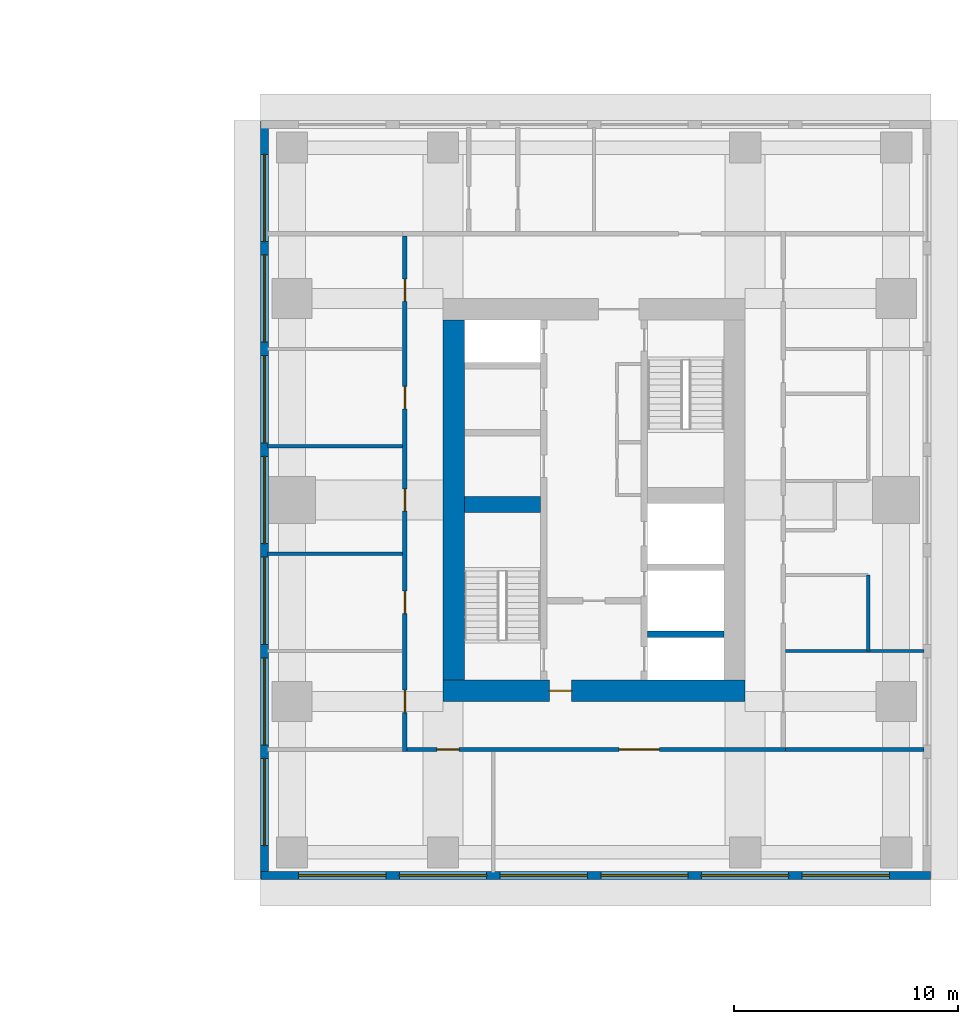
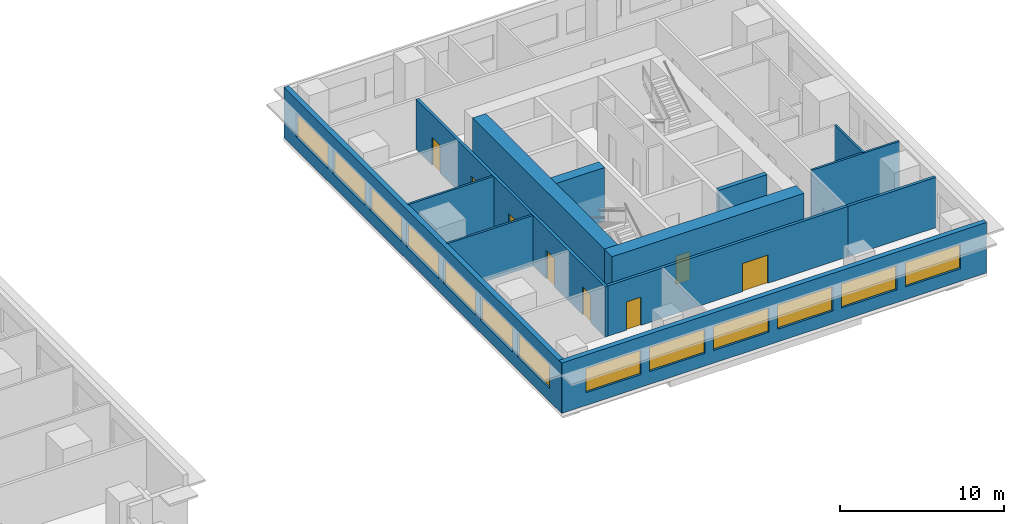
# One storey, part 6 of 11: 13 walls, 13 windows, 8 doors, 21 openings.
"""IFC4 building model written with IfcOpenShell, lengths in metres."""

from ifc_helpers import new_model, si_unit, direction, frame, frame_2d, origin, place, context, subcontext, project, spatial, rectangle, extrude, material, layer, layer_set, type_object, element, fill, save


model = new_model("IFC4")

# Units and contexts
model_context = context("Model", 3, precision=1e-05, world=origin(), true_north=direction((0.0, 1.0)))
body_context = subcontext(model_context, "Body", "Model", "MODEL_VIEW")
ifc_project = project(units=[si_unit("LENGTHUNIT", "METRE"), si_unit("AREAUNIT", "SQUARE_METRE"), si_unit("VOLUMEUNIT", "CUBIC_METRE"), si_unit("PLANEANGLEUNIT", "RADIAN"), si_unit("MASSUNIT", "GRAM", prefix="KILO")], contexts=[model_context])

# Site, building, storey
site_placement = place(None, origin())
site = spatial("IfcSite", under=ifc_project, at=site_placement, CompositionType="ELEMENT")
building_placement = place(site_placement, origin())
building = spatial("IfcBuilding", under=site, at=building_placement, Name="Namib Vertical Campus", CompositionType="ELEMENT")
storey_placement = place(building_placement, frame((0.0, 0.0, 181.0)))
storey = spatial("IfcBuildingStorey", under=building, at=storey_placement, Name="L42", CompositionType="ELEMENT", Elevation=181.0)

# Walls
ifc_material_1 = material(Name="Concrete C60/75", Category="concrete")
ifc_layer_1 = layer(ifc_material_1, 0.300048828125)
ifc_layer_set_1 = layer_set([ifc_layer_1], Name="Concrete C60/75")
wall_type_1 = type_object("IfcWallType", Name="Core inner wall 300", PredefinedType="SHEAR", material=ifc_layer_set_1)
wall_1_placement = place(storey_placement, frame((83.39990234375, 14.25, 0.0), z_axis=(0.0, 0.0, 1.0), x_axis=(1.0, 0.0, 0.0)))
element("IfcWall", 1, at=wall_1_placement, inside=storey, type_object=wall_type_1, Name="Core inner wall B L42 W5", PredefinedType="SHEAR", context=body_context, shape_type="SweptSolid", body=[
    extrude(rectangle(XDim=3.400146484375, YDim=0.300048828125, at=frame_2d((1.7001953125, 0.0))), origin(), (0.0, 0.0, 1.0), 4.0),
])
ifc_material_2 = material(Name="Concrete C60/75", Category="concrete")
ifc_layer_2 = layer(ifc_material_2, 0.699951171875)
ifc_layer_set_2 = layer_set([ifc_layer_2], Name="Concrete C60/75")
wall_type_2 = type_object("IfcWallType", Name="Core shear wall 700", PredefinedType="SHEAR", material=ifc_layer_set_2)
wall_2_placement = place(storey_placement, frame((75.199951171875, 20.050048828125, 0.0), z_axis=(0.0, 0.0, 1.0), x_axis=(1.0, 0.0, 0.0)))
element("IfcWall", 2, at=wall_2_placement, inside=storey, type_object=wall_type_2, Name="Core shear wall B L42 W3", PredefinedType="SHEAR", context=body_context, shape_type="SweptSolid", body=[
    extrude(rectangle(XDim=3.400146484375, YDim=0.699951171875, at=frame_2d((1.7001953125, 0.0))), origin(), (0.0, 0.0, 1.0), 4.0),
])

# Wall, opening, door
ifc_material_3 = material(Name="Concrete C60/75", Category="concrete")
ifc_layer_3 = layer(ifc_material_3, 0.949951171875)
ifc_layer_set_3 = layer_set([ifc_layer_3], Name="Concrete C60/75")
wall_type_3 = type_object("IfcWallType", Name="Core wall 950", PredefinedType="SHEAR", material=ifc_layer_set_3)
wall_3_placement = place(storey_placement, frame((74.25, 11.72509765625, 0.0), z_axis=(0.0, 0.0, 1.0), x_axis=(1.0, 0.0, 0.0)))
wall_3 = element("IfcWall", 3, at=wall_3_placement, inside=storey, type_object=wall_type_3, Name="Core wall B L42 1", PredefinedType="SHEAR", context=body_context, shape_type="SweptSolid", body=[
    extrude(rectangle(XDim=13.5, YDim=0.949951171875, at=frame_2d((6.75, 0.0))), origin(), (0.0, 0.0, 1.0), 4.0),
])
opening_1_placement = place(wall_3_placement, frame((4.75, 0.0, 0.0)))
opening_1 = element("IfcOpeningElement", 4, at=opening_1_placement, cuts=wall_3, Name="Opening FD5", PredefinedType="OPENING", context=body_context, shape_type="SweptSolid", body=[
    extrude(rectangle(XDim=1.0, YDim=2.10009765625, at=frame_2d((0.5, 1.050048828125))), frame((0.0, 0.48486328125, 0.0), z_axis=(0.0, -1.0, 0.0), x_axis=(1.0, 0.0, 0.0)), (0.0, 0.0, 1.0), 0.969970703125),
])
ifc_material_4 = material(Name="Steel fire door", Category="steel")
door_type_1 = type_object("IfcDoorType", Name="Fire door 1000x2100 120 min", OperationType="SINGLE_SWING_RIGHT", PredefinedType="DOOR", material=ifc_material_4)
door_1_placement = place(opening_1_placement, origin())
door_1 = element("IfcDoor", 5, at=door_1_placement, inside=storey, type_object=door_type_1, Name="Firefighting lobby door FD5 B L42", OperationType="SINGLE_SWING_LEFT", OverallHeight=2.10009765625, OverallWidth=1.0, PredefinedType="DOOR", context=body_context, shape_type="SweptSolid", body=[
    extrude(rectangle(XDim=1.0, YDim=2.10009765625, at=frame_2d((0.5, 1.050048828125))), frame((0.0, 0.02490234375, 0.0), z_axis=(0.0, -1.0, 0.0), x_axis=(1.0, 0.0, 0.0)), (0.0, 0.0, 1.0), 0.050048828125),
])
fill(opening_1, door_1)

# Wall
wall_4_placement = place(storey_placement, frame((74.72509765625, 28.300048828125, 0.0), z_axis=(0.0, 0.0, 1.0), x_axis=(0.0, -1.0, 0.0)))
element("IfcWall", 6, at=wall_4_placement, inside=storey, type_object=wall_type_3, Name="Core wall B L42 4", PredefinedType="SHEAR", context=body_context, shape_type="SweptSolid", body=[
    extrude(rectangle(XDim=16.10009765625, YDim=0.949951171875, at=frame_2d((8.050048828125, 0.0))), origin(), (0.0, 0.0, 1.0), 4.0),
])

# Wall, openings, doors
ifc_material_5 = material(Name="Concrete masonry", Category="masonry")
ifc_layer_4 = layer(ifc_material_5, 0.199951171875)
ifc_layer_set_4 = layer_set([ifc_layer_4], Name="Corridor wall 200")
wall_type_4 = type_object("IfcWallType", Name="Corridor wall 200", PredefinedType="SOLIDWALL", material=ifc_layer_set_4)
wall_5_placement = place(storey_placement, frame((72.64990234375, 9.10009765625, 0.0), z_axis=(0.0, 0.0, 1.0), x_axis=(1.0, 0.0, 0.0)))
wall_5 = element("IfcWall", 7, at=wall_5_placement, inside=storey, type_object=wall_type_4, Name="Corridor wall B L42 CS", PredefinedType="SOLIDWALL", context=body_context, shape_type="SweptSolid", body=[
    extrude(rectangle(XDim=16.900146484375, YDim=0.199951171875, at=frame_2d((8.4501953125, 0.0))), origin(), (0.0, 0.0, 1.0), 3.75),
])
opening_2_placement = place(wall_5_placement, frame((1.324951171875, 0.0, 0.0)))
opening_2 = element("IfcOpeningElement", 8, at=opening_2_placement, cuts=wall_5, Name="Opening CD1", PredefinedType="OPENING", context=body_context, shape_type="SweptSolid", body=[
    extrude(rectangle(XDim=1.0, YDim=2.10009765625, at=frame_2d((0.5, 1.050048828125))), frame((0.0, 0.10986328125, 0.0), z_axis=(0.0, -1.0, 0.0), x_axis=(1.0, 0.0, 0.0)), (0.0, 0.0, 1.0), 0.219970703125),
])
opening_3_placement = place(wall_5_placement, frame((9.47509765625, 0.0, 0.0)))
opening_3 = element("IfcOpeningElement", 9, at=opening_3_placement, cuts=wall_5, Name="Opening CD2", PredefinedType="OPENING", context=body_context, shape_type="SweptSolid", body=[
    extrude(rectangle(XDim=1.800048828125, YDim=2.10009765625, at=frame_2d((0.89990234375, 1.050048828125))), frame((0.0, 0.10986328125, 0.0), z_axis=(0.0, -1.0, 0.0), x_axis=(1.0, 0.0, 0.0)), (0.0, 0.0, 1.0), 0.219970703125),
])
ifc_material_6 = material(Name="Timber fire door leaf", Category="wood")
door_type_2 = type_object("IfcDoorType", Name="Corridor door 1000x2100 20 min", OperationType="SINGLE_SWING_LEFT", PredefinedType="DOOR", material=ifc_material_6)
door_2_placement = place(opening_2_placement, frame((1.0, 0.0, 0.0), z_axis=(0.0, 0.0, 1.0), x_axis=(-1.0, 0.0, 0.0)))
door_2 = element("IfcDoor", 10, at=door_2_placement, inside=storey, type_object=door_type_2, Name="Door CD1 B42-01", OperationType="SINGLE_SWING_LEFT", OverallHeight=2.10009765625, OverallWidth=1.0, PredefinedType="DOOR", context=body_context, shape_type="SweptSolid", body=[
    extrude(rectangle(XDim=1.0, YDim=2.10009765625, at=frame_2d((0.5, 1.050048828125))), frame((0.0, 0.02490234375, 0.0), z_axis=(0.0, -1.0, 0.0), x_axis=(1.0, 0.0, 0.0)), (0.0, 0.0, 1.0), 0.050048828125),
])
fill(opening_2, door_2)
ifc_material_7 = material(Name="Timber fire door leaf", Category="wood")
door_type_3 = type_object("IfcDoorType", Name="Corridor door double 1800x2100 20 min", OperationType="DOUBLE_DOOR_SINGLE_SWING", PredefinedType="DOOR", material=ifc_material_7)
door_3_placement = place(opening_3_placement, frame((1.800048828125, 0.0, 0.0), z_axis=(0.0, 0.0, 1.0), x_axis=(-1.0, 0.0, 0.0)))
door_3 = element("IfcDoor", 11, at=door_3_placement, inside=storey, type_object=door_type_3, Name="Door CD2 B42-02", OperationType="DOUBLE_DOOR_SINGLE_SWING", OverallHeight=2.10009765625, OverallWidth=1.800048828125, PredefinedType="DOOR", context=body_context, shape_type="SweptSolid", body=[
    extrude(rectangle(XDim=1.800048828125, YDim=2.10009765625, at=frame_2d((0.89990234375, 1.050048828125))), frame((0.0, 0.02490234375, 0.0), z_axis=(0.0, -1.0, 0.0), x_axis=(1.0, 0.0, 0.0)), (0.0, 0.0, 1.0), 0.050048828125),
])
fill(opening_3, door_3)

wall_6_placement = place(storey_placement, frame((72.550048828125, 32.050048828125, 0.0), z_axis=(0.0, 0.0, 1.0), x_axis=(0.0, -1.0, 0.0)))
wall_6 = element("IfcWall", 12, at=wall_6_placement, inside=storey, type_object=wall_type_4, Name="Corridor wall B L42 CW", PredefinedType="SOLIDWALL", context=body_context, shape_type="SweptSolid", body=[
    extrude(rectangle(XDim=23.050048828125, YDim=0.199951171875, at=frame_2d((11.52490234375, 0.0))), origin(), (0.0, 0.0, 1.0), 3.75),
])
opening_4_placement = place(wall_6_placement, frame((20.300048828125, 0.0, 0.0)))
opening_4 = element("IfcOpeningElement", 13, at=opening_4_placement, cuts=wall_6, Name="Opening CD1", PredefinedType="OPENING", context=body_context, shape_type="SweptSolid", body=[
    extrude(rectangle(XDim=1.0, YDim=2.10009765625, at=frame_2d((0.5, 1.050048828125))), frame((0.0, 0.10986328125, 0.0), z_axis=(0.0, -1.0, 0.0), x_axis=(1.0, 0.0, 0.0)), (0.0, 0.0, 1.0), 0.219970703125),
])
opening_5_placement = place(wall_6_placement, frame((15.875, 0.0, 0.0)))
opening_5 = element("IfcOpeningElement", 14, at=opening_5_placement, cuts=wall_6, Name="Opening CD1", PredefinedType="OPENING", context=body_context, shape_type="SweptSolid", body=[
    extrude(rectangle(XDim=1.0, YDim=2.10009765625, at=frame_2d((0.5, 1.050048828125))), frame((0.0, 0.10986328125, 0.0), z_axis=(0.0, -1.0, 0.0), x_axis=(1.0, 0.0, 0.0)), (0.0, 0.0, 1.0), 0.219970703125),
])
opening_6_placement = place(wall_6_placement, frame((11.300048828125, 0.0, 0.0)))
opening_6 = element("IfcOpeningElement", 15, at=opening_6_placement, cuts=wall_6, Name="Opening CD1", PredefinedType="OPENING", context=body_context, shape_type="SweptSolid", body=[
    extrude(rectangle(XDim=1.0, YDim=2.10009765625, at=frame_2d((0.5, 1.050048828125))), frame((0.0, 0.10986328125, 0.0), z_axis=(0.0, -1.0, 0.0), x_axis=(1.0, 0.0, 0.0)), (0.0, 0.0, 1.0), 0.219970703125),
])
opening_7_placement = place(wall_6_placement, frame((6.72509765625, 0.0, 0.0)))
opening_7 = element("IfcOpeningElement", 16, at=opening_7_placement, cuts=wall_6, Name="Opening CD1", PredefinedType="OPENING", context=body_context, shape_type="SweptSolid", body=[
    extrude(rectangle(XDim=1.0, YDim=2.10009765625, at=frame_2d((0.5, 1.050048828125))), frame((0.0, 0.10986328125, 0.0), z_axis=(0.0, -1.0, 0.0), x_axis=(1.0, 0.0, 0.0)), (0.0, 0.0, 1.0), 0.219970703125),
])
opening_8_placement = place(wall_6_placement, frame((1.925048828125, 0.0, 0.0)))
opening_8 = element("IfcOpeningElement", 17, at=opening_8_placement, cuts=wall_6, Name="Opening CD1", PredefinedType="OPENING", context=body_context, shape_type="SweptSolid", body=[
    extrude(rectangle(XDim=1.0, YDim=2.10009765625, at=frame_2d((0.5, 1.050048828125))), frame((0.0, 0.10986328125, 0.0), z_axis=(0.0, -1.0, 0.0), x_axis=(1.0, 0.0, 0.0)), (0.0, 0.0, 1.0), 0.219970703125),
])
door_4_placement = place(opening_4_placement, frame((1.0, 0.0, 0.0), z_axis=(0.0, 0.0, 1.0), x_axis=(-1.0, 0.0, 0.0)))
door_4 = element("IfcDoor", 18, at=door_4_placement, inside=storey, type_object=door_type_2, Name="Door CD1 B42-13", OperationType="SINGLE_SWING_RIGHT", OverallHeight=2.10009765625, OverallWidth=1.0, PredefinedType="DOOR", context=body_context, shape_type="SweptSolid", body=[
    extrude(rectangle(XDim=1.0, YDim=2.10009765625, at=frame_2d((0.5, 1.050048828125))), frame((0.0, 0.02490234375, 0.0), z_axis=(0.0, -1.0, 0.0), x_axis=(1.0, 0.0, 0.0)), (0.0, 0.0, 1.0), 0.050048828125),
])
fill(opening_4, door_4)
door_5_placement = place(opening_5_placement, frame((1.0, 0.0, 0.0), z_axis=(0.0, 0.0, 1.0), x_axis=(-1.0, 0.0, 0.0)))
door_5 = element("IfcDoor", 19, at=door_5_placement, inside=storey, type_object=door_type_2, Name="Door CD1 B42-14", OperationType="SINGLE_SWING_RIGHT", OverallHeight=2.10009765625, OverallWidth=1.0, PredefinedType="DOOR", context=body_context, shape_type="SweptSolid", body=[
    extrude(rectangle(XDim=1.0, YDim=2.10009765625, at=frame_2d((0.5, 1.050048828125))), frame((0.0, 0.02490234375, 0.0), z_axis=(0.0, -1.0, 0.0), x_axis=(1.0, 0.0, 0.0)), (0.0, 0.0, 1.0), 0.050048828125),
])
fill(opening_5, door_5)
door_6_placement = place(opening_6_placement, frame((1.0, 0.0, 0.0), z_axis=(0.0, 0.0, 1.0), x_axis=(-1.0, 0.0, 0.0)))
door_6 = element("IfcDoor", 20, at=door_6_placement, inside=storey, type_object=door_type_2, Name="Door CD1 B42-15", OperationType="SINGLE_SWING_RIGHT", OverallHeight=2.10009765625, OverallWidth=1.0, PredefinedType="DOOR", context=body_context, shape_type="SweptSolid", body=[
    extrude(rectangle(XDim=1.0, YDim=2.10009765625, at=frame_2d((0.5, 1.050048828125))), frame((0.0, 0.02490234375, 0.0), z_axis=(0.0, -1.0, 0.0), x_axis=(1.0, 0.0, 0.0)), (0.0, 0.0, 1.0), 0.050048828125),
])
fill(opening_6, door_6)
door_7_placement = place(opening_7_placement, frame((1.0, 0.0, 0.0), z_axis=(0.0, 0.0, 1.0), x_axis=(-1.0, 0.0, 0.0)))
door_7 = element("IfcDoor", 21, at=door_7_placement, inside=storey, type_object=door_type_2, Name="Door CD1 B42-16", OperationType="SINGLE_SWING_RIGHT", OverallHeight=2.10009765625, OverallWidth=1.0, PredefinedType="DOOR", context=body_context, shape_type="SweptSolid", body=[
    extrude(rectangle(XDim=1.0, YDim=2.10009765625, at=frame_2d((0.5, 1.050048828125))), frame((0.0, 0.02490234375, 0.0), z_axis=(0.0, -1.0, 0.0), x_axis=(1.0, 0.0, 0.0)), (0.0, 0.0, 1.0), 0.050048828125),
])
fill(opening_7, door_7)
door_8_placement = place(opening_8_placement, frame((1.0, 0.0, 0.0), z_axis=(0.0, 0.0, 1.0), x_axis=(-1.0, 0.0, 0.0)))
door_8 = element("IfcDoor", 22, at=door_8_placement, inside=storey, type_object=door_type_2, Name="Door CD1 B42-17", OperationType="SINGLE_SWING_RIGHT", OverallHeight=2.10009765625, OverallWidth=1.0, PredefinedType="DOOR", context=body_context, shape_type="SweptSolid", body=[
    extrude(rectangle(XDim=1.0, YDim=2.10009765625, at=frame_2d((0.5, 1.050048828125))), frame((0.0, 0.02490234375, 0.0), z_axis=(0.0, -1.0, 0.0), x_axis=(1.0, 0.0, 0.0)), (0.0, 0.0, 1.0), 0.050048828125),
])
fill(opening_8, door_8)

# Wall
wall_7_placement = place(storey_placement, frame((89.550048828125, 9.10009765625, 0.0), z_axis=(0.0, 0.0, 1.0), x_axis=(1.0, 0.0, 0.0)))
element("IfcWall", 23, at=wall_7_placement, inside=storey, type_object=wall_type_4, Name="Partition B L42 BSE", PredefinedType="SOLIDWALL", context=body_context, shape_type="SweptSolid", body=[
    extrude(rectangle(XDim=6.199951171875, YDim=0.199951171875, at=frame_2d((3.10009765625, 0.0))), origin(), (0.0, 0.0, 1.0), 3.75),
])

# Wall, openings, windows
ifc_material_8 = material(Name="Concrete C40/50", Category="concrete")
ifc_layer_5 = layer(ifc_material_8, 0.35009765625)
ifc_layer_set_5 = layer_set([ifc_layer_5], Name="Concrete C40/50")
wall_type_5 = type_object("IfcWallType", Name="External wall 350 bush-hammered concrete", PredefinedType="STANDARD", material=ifc_layer_set_5)
wall_8_placement = place(storey_placement, frame((66.1201171875, 3.47509765625, 0.0), z_axis=(0.0, 0.0, 1.0), x_axis=(1.0, 0.0, 0.0)))
wall_8 = element("IfcWall", 24, at=wall_8_placement, inside=storey, type_object=wall_type_5, Name="External wall L42 F01", PredefinedType="STANDARD", context=body_context, shape_type="SweptSolid", body=[
    extrude(rectangle(XDim=29.909912109375, YDim=0.35009765625, at=frame_2d((14.955078125, 0.0))), origin(), (0.0, 0.0, 1.0), 3.75),
])
opening_9_placement = place(wall_8_placement, frame((1.679931640625, 0.0, 0.949951171875)))
opening_9 = element("IfcOpeningElement", 25, at=opening_9_placement, cuts=wall_8, Name="Opening W3", PredefinedType="OPENING", context=body_context, shape_type="SweptSolid", body=[
    extrude(rectangle(XDim=3.89990234375, YDim=1.800048828125, at=frame_2d((1.949951171875, 0.89990234375))), frame((0.0, 0.18505859375, 0.0), z_axis=(0.0, -1.0, 0.0), x_axis=(1.0, 0.0, 0.0)), (0.0, 0.0, 1.0), 0.3701171875),
])
opening_10_placement = place(wall_8_placement, frame((6.179931640625, 0.0, 0.949951171875)))
opening_10 = element("IfcOpeningElement", 26, at=opening_10_placement, cuts=wall_8, Name="Opening W3", PredefinedType="OPENING", context=body_context, shape_type="SweptSolid", body=[
    extrude(rectangle(XDim=3.89990234375, YDim=1.800048828125, at=frame_2d((1.949951171875, 0.89990234375))), frame((0.0, 0.18505859375, 0.0), z_axis=(0.0, -1.0, 0.0), x_axis=(1.0, 0.0, 0.0)), (0.0, 0.0, 1.0), 0.3701171875),
])
opening_11_placement = place(wall_8_placement, frame((10.679931640625, 0.0, 0.949951171875)))
opening_11 = element("IfcOpeningElement", 27, at=opening_11_placement, cuts=wall_8, Name="Opening W3", PredefinedType="OPENING", context=body_context, shape_type="SweptSolid", body=[
    extrude(rectangle(XDim=3.89990234375, YDim=1.800048828125, at=frame_2d((1.949951171875, 0.89990234375))), frame((0.0, 0.18505859375, 0.0), z_axis=(0.0, -1.0, 0.0), x_axis=(1.0, 0.0, 0.0)), (0.0, 0.0, 1.0), 0.3701171875),
])
opening_12_placement = place(wall_8_placement, frame((15.179931640625, 0.0, 0.949951171875)))
opening_12 = element("IfcOpeningElement", 28, at=opening_12_placement, cuts=wall_8, Name="Opening W3", PredefinedType="OPENING", context=body_context, shape_type="SweptSolid", body=[
    extrude(rectangle(XDim=3.89990234375, YDim=1.800048828125, at=frame_2d((1.949951171875, 0.89990234375))), frame((0.0, 0.18505859375, 0.0), z_axis=(0.0, -1.0, 0.0), x_axis=(1.0, 0.0, 0.0)), (0.0, 0.0, 1.0), 0.3701171875),
])
opening_13_placement = place(wall_8_placement, frame((19.679931640625, 0.0, 0.949951171875)))
opening_13 = element("IfcOpeningElement", 29, at=opening_13_placement, cuts=wall_8, Name="Opening W3", PredefinedType="OPENING", context=body_context, shape_type="SweptSolid", body=[
    extrude(rectangle(XDim=3.89990234375, YDim=1.800048828125, at=frame_2d((1.949951171875, 0.89990234375))), frame((0.0, 0.18505859375, 0.0), z_axis=(0.0, -1.0, 0.0), x_axis=(1.0, 0.0, 0.0)), (0.0, 0.0, 1.0), 0.3701171875),
])
opening_14_placement = place(wall_8_placement, frame((24.179931640625, 0.0, 0.949951171875)))
opening_14 = element("IfcOpeningElement", 30, at=opening_14_placement, cuts=wall_8, Name="Opening W3", PredefinedType="OPENING", context=body_context, shape_type="SweptSolid", body=[
    extrude(rectangle(XDim=3.89990234375, YDim=1.800048828125, at=frame_2d((1.949951171875, 0.89990234375))), frame((0.0, 0.18505859375, 0.0), z_axis=(0.0, -1.0, 0.0), x_axis=(1.0, 0.0, 0.0)), (0.0, 0.0, 1.0), 0.3701171875),
])
ifc_material_9 = material(Name="Dark tinted glass in black aluminium frame", Category="aluminium")
window_type = type_object("IfcWindowType", Name="Ribbon window 3900x1800", PartitioningType="SINGLE_PANEL", PredefinedType="WINDOW", material=ifc_material_9)
window_1_placement = place(opening_9_placement, origin())
window_1 = element("IfcWindow", 31, at=window_1_placement, inside=storey, type_object=window_type, Name="Window W3 L42 F01-1", OverallHeight=1.800048828125, OverallWidth=3.89990234375, PartitioningType="SINGLE_PANEL", PredefinedType="WINDOW", context=body_context, shape_type="SweptSolid", body=[
    extrude(rectangle(XDim=3.89990234375, YDim=1.800048828125, at=frame_2d((1.949951171875, 0.89990234375))), frame((0.0, 0.030029296875, 0.0), z_axis=(0.0, -1.0, 0.0), x_axis=(1.0, 0.0, 0.0)), (0.0, 0.0, 1.0), 0.06005859375),
])
fill(opening_9, window_1)
window_2_placement = place(opening_10_placement, origin())
window_2 = element("IfcWindow", 32, at=window_2_placement, inside=storey, type_object=window_type, Name="Window W3 L42 F01-2", OverallHeight=1.800048828125, OverallWidth=3.89990234375, PartitioningType="SINGLE_PANEL", PredefinedType="WINDOW", context=body_context, shape_type="SweptSolid", body=[
    extrude(rectangle(XDim=3.89990234375, YDim=1.800048828125, at=frame_2d((1.949951171875, 0.89990234375))), frame((0.0, 0.030029296875, 0.0), z_axis=(0.0, -1.0, 0.0), x_axis=(1.0, 0.0, 0.0)), (0.0, 0.0, 1.0), 0.06005859375),
])
fill(opening_10, window_2)
window_3_placement = place(opening_11_placement, origin())
window_3 = element("IfcWindow", 33, at=window_3_placement, inside=storey, type_object=window_type, Name="Window W3 L42 F01-3", OverallHeight=1.800048828125, OverallWidth=3.89990234375, PartitioningType="SINGLE_PANEL", PredefinedType="WINDOW", context=body_context, shape_type="SweptSolid", body=[
    extrude(rectangle(XDim=3.89990234375, YDim=1.800048828125, at=frame_2d((1.949951171875, 0.89990234375))), frame((0.0, 0.030029296875, 0.0), z_axis=(0.0, -1.0, 0.0), x_axis=(1.0, 0.0, 0.0)), (0.0, 0.0, 1.0), 0.06005859375),
])
fill(opening_11, window_3)
window_4_placement = place(opening_12_placement, origin())
window_4 = element("IfcWindow", 34, at=window_4_placement, inside=storey, type_object=window_type, Name="Window W3 L42 F01-4", OverallHeight=1.800048828125, OverallWidth=3.89990234375, PartitioningType="SINGLE_PANEL", PredefinedType="WINDOW", context=body_context, shape_type="SweptSolid", body=[
    extrude(rectangle(XDim=3.89990234375, YDim=1.800048828125, at=frame_2d((1.949951171875, 0.89990234375))), frame((0.0, 0.030029296875, 0.0), z_axis=(0.0, -1.0, 0.0), x_axis=(1.0, 0.0, 0.0)), (0.0, 0.0, 1.0), 0.06005859375),
])
fill(opening_12, window_4)
window_5_placement = place(opening_13_placement, origin())
window_5 = element("IfcWindow", 35, at=window_5_placement, inside=storey, type_object=window_type, Name="Window W3 L42 F01-5", OverallHeight=1.800048828125, OverallWidth=3.89990234375, PartitioningType="SINGLE_PANEL", PredefinedType="WINDOW", context=body_context, shape_type="SweptSolid", body=[
    extrude(rectangle(XDim=3.89990234375, YDim=1.800048828125, at=frame_2d((1.949951171875, 0.89990234375))), frame((0.0, 0.030029296875, 0.0), z_axis=(0.0, -1.0, 0.0), x_axis=(1.0, 0.0, 0.0)), (0.0, 0.0, 1.0), 0.06005859375),
])
fill(opening_13, window_5)
window_6_placement = place(opening_14_placement, origin())
window_6 = element("IfcWindow", 36, at=window_6_placement, inside=storey, type_object=window_type, Name="Window W3 L42 F01-6", OverallHeight=1.800048828125, OverallWidth=3.89990234375, PartitioningType="SINGLE_PANEL", PredefinedType="WINDOW", context=body_context, shape_type="SweptSolid", body=[
    extrude(rectangle(XDim=3.89990234375, YDim=1.800048828125, at=frame_2d((1.949951171875, 0.89990234375))), frame((0.0, 0.030029296875, 0.0), z_axis=(0.0, -1.0, 0.0), x_axis=(1.0, 0.0, 0.0)), (0.0, 0.0, 1.0), 0.06005859375),
])
fill(opening_14, window_6)

wall_9_placement = place(storey_placement, frame((66.27490234375, 37.179931640625, 0.0), z_axis=(0.0, 0.0, 1.0), x_axis=(0.0, -1.0, 0.0)))
wall_9 = element("IfcWall", 37, at=wall_9_placement, inside=storey, type_object=wall_type_5, Name="External wall L42 F04", PredefinedType="STANDARD", context=body_context, shape_type="SweptSolid", body=[
    extrude(rectangle(XDim=33.85986328125, YDim=0.35009765625, at=frame_2d((16.929931640625, 0.0))), origin(), (0.0, 0.0, 1.0), 3.75),
])
opening_15_placement = place(wall_9_placement, frame((28.47998046875, 0.0, 0.949951171875)))
opening_15 = element("IfcOpeningElement", 38, at=opening_15_placement, cuts=wall_9, Name="Opening W3", PredefinedType="OPENING", context=body_context, shape_type="SweptSolid", body=[
    extrude(rectangle(XDim=3.89990234375, YDim=1.800048828125, at=frame_2d((1.949951171875, 0.89990234375))), frame((0.0, 0.18505859375, 0.0), z_axis=(0.0, -1.0, 0.0), x_axis=(1.0, 0.0, 0.0)), (0.0, 0.0, 1.0), 0.3701171875),
])
opening_16_placement = place(wall_9_placement, frame((23.97998046875, 0.0, 0.949951171875)))
opening_16 = element("IfcOpeningElement", 39, at=opening_16_placement, cuts=wall_9, Name="Opening W3", PredefinedType="OPENING", context=body_context, shape_type="SweptSolid", body=[
    extrude(rectangle(XDim=3.89990234375, YDim=1.800048828125, at=frame_2d((1.949951171875, 0.89990234375))), frame((0.0, 0.18505859375, 0.0), z_axis=(0.0, -1.0, 0.0), x_axis=(1.0, 0.0, 0.0)), (0.0, 0.0, 1.0), 0.3701171875),
])
opening_17_placement = place(wall_9_placement, frame((19.47998046875, 0.0, 0.949951171875)))
opening_17 = element("IfcOpeningElement", 40, at=opening_17_placement, cuts=wall_9, Name="Opening W3", PredefinedType="OPENING", context=body_context, shape_type="SweptSolid", body=[
    extrude(rectangle(XDim=3.89990234375, YDim=1.800048828125, at=frame_2d((1.949951171875, 0.89990234375))), frame((0.0, 0.18505859375, 0.0), z_axis=(0.0, -1.0, 0.0), x_axis=(1.0, 0.0, 0.0)), (0.0, 0.0, 1.0), 0.3701171875),
])
opening_18_placement = place(wall_9_placement, frame((14.97998046875, 0.0, 0.949951171875)))
opening_18 = element("IfcOpeningElement", 41, at=opening_18_placement, cuts=wall_9, Name="Opening W3", PredefinedType="OPENING", context=body_context, shape_type="SweptSolid", body=[
    extrude(rectangle(XDim=3.89990234375, YDim=1.800048828125, at=frame_2d((1.949951171875, 0.89990234375))), frame((0.0, 0.18505859375, 0.0), z_axis=(0.0, -1.0, 0.0), x_axis=(1.0, 0.0, 0.0)), (0.0, 0.0, 1.0), 0.3701171875),
])
opening_19_placement = place(wall_9_placement, frame((10.47998046875, 0.0, 0.949951171875)))
opening_19 = element("IfcOpeningElement", 42, at=opening_19_placement, cuts=wall_9, Name="Opening W3", PredefinedType="OPENING", context=body_context, shape_type="SweptSolid", body=[
    extrude(rectangle(XDim=3.89990234375, YDim=1.800048828125, at=frame_2d((1.949951171875, 0.89990234375))), frame((0.0, 0.18505859375, 0.0), z_axis=(0.0, -1.0, 0.0), x_axis=(1.0, 0.0, 0.0)), (0.0, 0.0, 1.0), 0.3701171875),
])
opening_20_placement = place(wall_9_placement, frame((5.97998046875, 0.0, 0.949951171875)))
opening_20 = element("IfcOpeningElement", 43, at=opening_20_placement, cuts=wall_9, Name="Opening W3", PredefinedType="OPENING", context=body_context, shape_type="SweptSolid", body=[
    extrude(rectangle(XDim=3.89990234375, YDim=1.800048828125, at=frame_2d((1.949951171875, 0.89990234375))), frame((0.0, 0.18505859375, 0.0), z_axis=(0.0, -1.0, 0.0), x_axis=(1.0, 0.0, 0.0)), (0.0, 0.0, 1.0), 0.3701171875),
])
opening_21_placement = place(wall_9_placement, frame((1.47998046875, 0.0, 0.949951171875)))
opening_21 = element("IfcOpeningElement", 44, at=opening_21_placement, cuts=wall_9, Name="Opening W3", PredefinedType="OPENING", context=body_context, shape_type="SweptSolid", body=[
    extrude(rectangle(XDim=3.89990234375, YDim=1.800048828125, at=frame_2d((1.949951171875, 0.89990234375))), frame((0.0, 0.18505859375, 0.0), z_axis=(0.0, -1.0, 0.0), x_axis=(1.0, 0.0, 0.0)), (0.0, 0.0, 1.0), 0.3701171875),
])
window_7_placement = place(opening_15_placement, origin())
window_7 = element("IfcWindow", 45, at=window_7_placement, inside=storey, type_object=window_type, Name="Window W3 L42 F04-1", OverallHeight=1.800048828125, OverallWidth=3.89990234375, PartitioningType="SINGLE_PANEL", PredefinedType="WINDOW", context=body_context, shape_type="SweptSolid", body=[
    extrude(rectangle(XDim=3.89990234375, YDim=1.800048828125, at=frame_2d((1.949951171875, 0.89990234375))), frame((0.0, 0.030029296875, 0.0), z_axis=(0.0, -1.0, 0.0), x_axis=(1.0, 0.0, 0.0)), (0.0, 0.0, 1.0), 0.06005859375),
])
fill(opening_15, window_7)
window_8_placement = place(opening_16_placement, origin())
window_8 = element("IfcWindow", 46, at=window_8_placement, inside=storey, type_object=window_type, Name="Window W3 L42 F04-2", OverallHeight=1.800048828125, OverallWidth=3.89990234375, PartitioningType="SINGLE_PANEL", PredefinedType="WINDOW", context=body_context, shape_type="SweptSolid", body=[
    extrude(rectangle(XDim=3.89990234375, YDim=1.800048828125, at=frame_2d((1.949951171875, 0.89990234375))), frame((0.0, 0.030029296875, 0.0), z_axis=(0.0, -1.0, 0.0), x_axis=(1.0, 0.0, 0.0)), (0.0, 0.0, 1.0), 0.06005859375),
])
fill(opening_16, window_8)
window_9_placement = place(opening_17_placement, origin())
window_9 = element("IfcWindow", 47, at=window_9_placement, inside=storey, type_object=window_type, Name="Window W3 L42 F04-3", OverallHeight=1.800048828125, OverallWidth=3.89990234375, PartitioningType="SINGLE_PANEL", PredefinedType="WINDOW", context=body_context, shape_type="SweptSolid", body=[
    extrude(rectangle(XDim=3.89990234375, YDim=1.800048828125, at=frame_2d((1.949951171875, 0.89990234375))), frame((0.0, 0.030029296875, 0.0), z_axis=(0.0, -1.0, 0.0), x_axis=(1.0, 0.0, 0.0)), (0.0, 0.0, 1.0), 0.06005859375),
])
fill(opening_17, window_9)
window_10_placement = place(opening_18_placement, origin())
window_10 = element("IfcWindow", 48, at=window_10_placement, inside=storey, type_object=window_type, Name="Window W3 L42 F04-4", OverallHeight=1.800048828125, OverallWidth=3.89990234375, PartitioningType="SINGLE_PANEL", PredefinedType="WINDOW", context=body_context, shape_type="SweptSolid", body=[
    extrude(rectangle(XDim=3.89990234375, YDim=1.800048828125, at=frame_2d((1.949951171875, 0.89990234375))), frame((0.0, 0.030029296875, 0.0), z_axis=(0.0, -1.0, 0.0), x_axis=(1.0, 0.0, 0.0)), (0.0, 0.0, 1.0), 0.06005859375),
])
fill(opening_18, window_10)
window_11_placement = place(opening_19_placement, origin())
window_11 = element("IfcWindow", 49, at=window_11_placement, inside=storey, type_object=window_type, Name="Window W3 L42 F04-5", OverallHeight=1.800048828125, OverallWidth=3.89990234375, PartitioningType="SINGLE_PANEL", PredefinedType="WINDOW", context=body_context, shape_type="SweptSolid", body=[
    extrude(rectangle(XDim=3.89990234375, YDim=1.800048828125, at=frame_2d((1.949951171875, 0.89990234375))), frame((0.0, 0.030029296875, 0.0), z_axis=(0.0, -1.0, 0.0), x_axis=(1.0, 0.0, 0.0)), (0.0, 0.0, 1.0), 0.06005859375),
])
fill(opening_19, window_11)
window_12_placement = place(opening_20_placement, origin())
window_12 = element("IfcWindow", 50, at=window_12_placement, inside=storey, type_object=window_type, Name="Window W3 L42 F04-6", OverallHeight=1.800048828125, OverallWidth=3.89990234375, PartitioningType="SINGLE_PANEL", PredefinedType="WINDOW", context=body_context, shape_type="SweptSolid", body=[
    extrude(rectangle(XDim=3.89990234375, YDim=1.800048828125, at=frame_2d((1.949951171875, 0.89990234375))), frame((0.0, 0.030029296875, 0.0), z_axis=(0.0, -1.0, 0.0), x_axis=(1.0, 0.0, 0.0)), (0.0, 0.0, 1.0), 0.06005859375),
])
fill(opening_20, window_12)
window_13_placement = place(opening_21_placement, origin())
window_13 = element("IfcWindow", 51, at=window_13_placement, inside=storey, type_object=window_type, Name="Window W3 L42 F04-7", OverallHeight=1.800048828125, OverallWidth=3.89990234375, PartitioningType="SINGLE_PANEL", PredefinedType="WINDOW", context=body_context, shape_type="SweptSolid", body=[
    extrude(rectangle(XDim=3.89990234375, YDim=1.800048828125, at=frame_2d((1.949951171875, 0.89990234375))), frame((0.0, 0.030029296875, 0.0), z_axis=(0.0, -1.0, 0.0), x_axis=(1.0, 0.0, 0.0)), (0.0, 0.0, 1.0), 0.06005859375),
])
fill(opening_21, window_13)

# Walls
ifc_material_10 = material(Name="Gypsum board on steel studs", Category="steel")
ifc_layer_6 = layer(ifc_material_10, 0.14990234375)
ifc_layer_set_6 = layer_set([ifc_layer_6], Name="Gypsum board on steel studs")
wall_type_6 = type_object("IfcWallType", Name="Partition 150", PredefinedType="PARTITIONING", material=ifc_layer_set_6)
wall_10_placement = place(storey_placement, frame((89.550048828125, 13.5, 0.0), z_axis=(0.0, 0.0, 1.0), x_axis=(1.0, 0.0, 0.0)))
element("IfcWall", 52, at=wall_10_placement, inside=storey, type_object=wall_type_6, Name="Partition B L42 PE1", PredefinedType="PARTITIONING", context=body_context, shape_type="SweptSolid", body=[
    extrude(rectangle(XDim=6.199951171875, YDim=0.14990234375, at=frame_2d((3.10009765625, 0.0))), origin(), (0.0, 0.0, 1.0), 3.75),
])
for number, where, z_axis, x_axis, name in (
    (53, (66.39990234375, 17.85009765625, 0.0), (0.0, 0.0, 1.0), (1.0, 0.0, 0.0), "Partition B L42 PW2"),
    (54, (66.39990234375, 22.64990234375, 0.0), (0.0, 0.0, 1.0), (1.0, 0.0, 0.0), "Partition B L42 PW3"),
):
    element("IfcWall", number, at=place(storey_placement, frame(where, z_axis=z_axis, x_axis=x_axis)), inside=storey, type_object=wall_type_6, Name=name, PredefinedType="PARTITIONING", context=body_context, shape_type="SweptSolid", body=[
        extrude(rectangle(XDim=6.050048828125, YDim=0.14990234375, at=frame_2d((3.02490234375, 0.0))), origin(), (0.0, 0.0, 1.0), 3.75),
    ])
wall_11_placement = place(storey_placement, frame((93.25, 13.5, 0.0), z_axis=(0.0, 0.0, 1.0), x_axis=(0.0, 1.0, 0.0)))
element("IfcWall", 55, at=wall_11_placement, inside=storey, type_object=wall_type_6, Name="Partition B L42 WB1", PredefinedType="PARTITIONING", context=body_context, shape_type="SweptSolid", body=[
    extrude(rectangle(XDim=3.39990234375, YDim=0.14990234375, at=frame_2d((1.699951171875, 0.0))), origin(), (0.0, 0.0, 1.0), 3.75),
])

save(model, "model.ifc")
